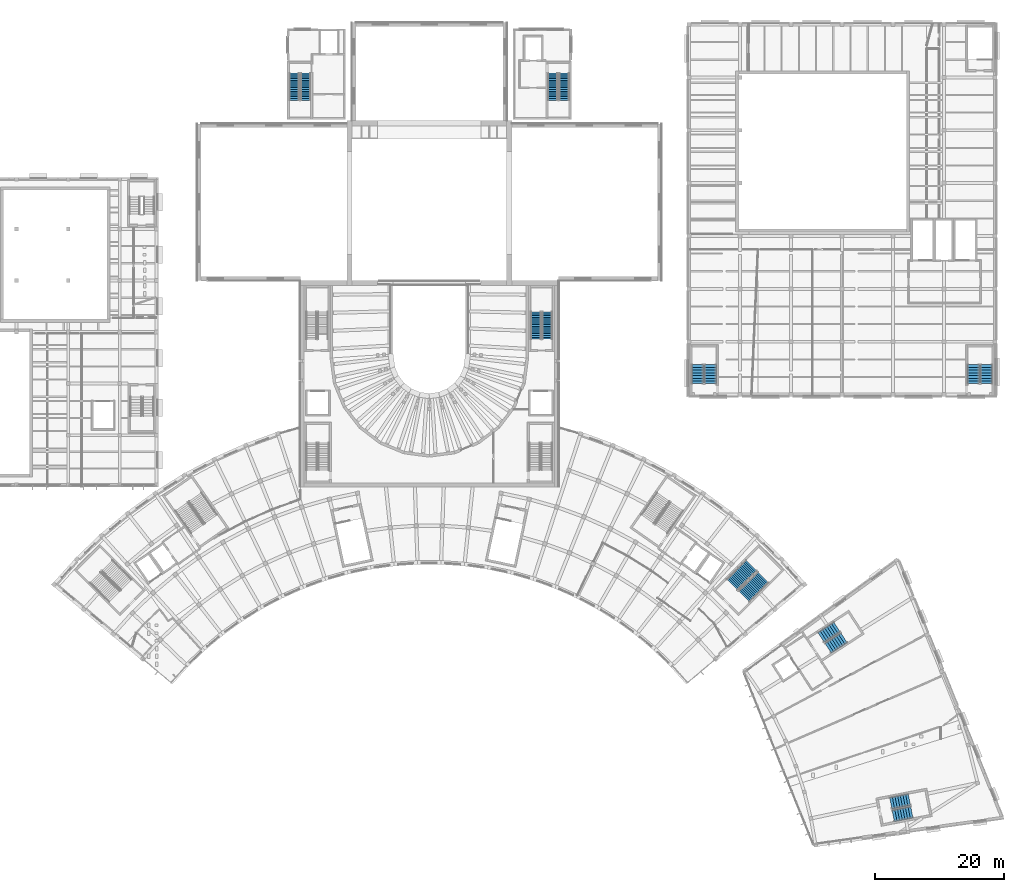
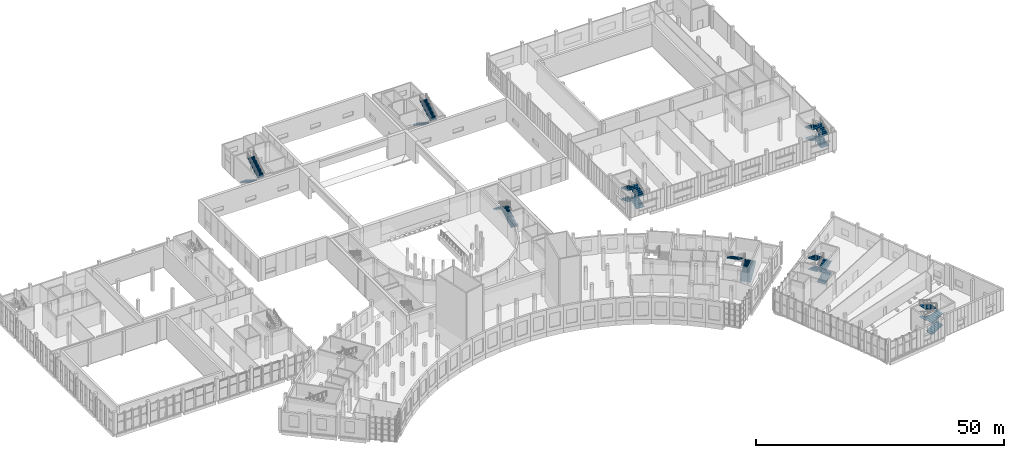
# One storey, part 48 of 87: 24 stair flights, 8 elements without a shape of their own.
"""IFC4 building model written with IfcOpenShell, lengths in metres."""

from ifc_helpers import new_model, si_unit, direction, frame, origin, place, context, subcontext, project, spatial, polyline, outline, extrude, material, type_object, element, aggregate, save


model = new_model("IFC4")

# Units and contexts
model_context = context("Model", 3, precision=1e-05, world=origin(), true_north=direction((0.0, 1.0)))
body_context = subcontext(model_context, "Body", "Model", "MODEL_VIEW")
ifc_project = project(units=[si_unit("LENGTHUNIT", "METRE"), si_unit("AREAUNIT", "SQUARE_METRE"), si_unit("VOLUMEUNIT", "CUBIC_METRE"), si_unit("PLANEANGLEUNIT", "RADIAN"), si_unit("MASSUNIT", "GRAM", prefix="KILO")], contexts=[model_context])

# Site, building, storey
site_placement = place(None, origin())
site = spatial("IfcSite", under=ifc_project, at=site_placement, CompositionType="ELEMENT")
building_placement = place(site_placement, origin())
building = spatial("IfcBuilding", under=site, at=building_placement, Name="Lunette Opera House", CompositionType="ELEMENT")
storey_placement = place(building_placement, frame((0.0, 0.0, 11.5)))
storey = spatial("IfcBuildingStorey", under=building, at=storey_placement, Name="L02", CompositionType="ELEMENT", Elevation=11.5)

# Stair, stair flights
ifc_material_1 = material(Name="Concrete C35/45", Category="concrete")
stair_type_1 = type_object("IfcStairType", Name="DOGLEG STAIR 1550", PredefinedType="HALF_TURN_STAIR", material=ifc_material_1)
stair_1_placement = place(storey_placement, origin())
stair_1 = element("IfcStair", 1, at=stair_1_placement, inside=storey, type_object=stair_type_1, Name="L02 stair ST11", PredefinedType="HALF_TURN_STAIR")
ifc_material_2 = material(Name="Concrete C35/45", Category="concrete")
stair_flight_type_1 = type_object("IfcStairFlightType", Name="STRAIGHT STAIR FLIGHT 1550", PredefinedType="STRAIGHT", material=ifc_material_2)
stair_flight_1_placement = place(storey_placement, frame((75.074951171875, 128.14990234375, 0.0), z_axis=(0.0, 0.0, 1.0), x_axis=(0.0, -1.0, 0.0)))
stair_flight_1 = element("IfcStairFlight", 2, at=stair_flight_1_placement, type_object=stair_flight_type_1, Name="ST11 flight 1", NumberOfRisers=16, NumberOfTreads=15, PredefinedType="STRAIGHT", RiserHeight=0.171875, TreadLength=0.28, context=body_context, shape_type="SweptSolid", body=[
    extrude(outline(polyline([(0.0, 0.0), (0.0, 0.171875), (0.280029296875, 0.171875), (0.280029296875, 0.34375), (0.56005859375, 0.34375), (0.56005859375, 0.515625), (0.840087890625, 0.515625), (0.840087890625, 0.6875), (1.1201171875, 0.6875), (1.1201171875, 0.859375), (1.39990234375, 0.859375), (1.39990234375, 1.03125), (1.679931640625, 1.03125), (1.679931640625, 1.203125), (1.9599609375, 1.203125), (1.9599609375, 1.375), (2.239990234375, 1.375), (2.239990234375, 1.546875), (2.52001953125, 1.546875), (2.52001953125, 1.71875), (2.800048828125, 1.71875), (2.800048828125, 1.890625), (3.080078125, 1.890625), (3.080078125, 2.0625), (3.360107421875, 2.0625), (3.360107421875, 2.234375), (3.639892578125, 2.234375), (3.639892578125, 2.40625), (3.919921875, 2.40625), (3.919921875, 2.578125), (4.199951171875, 2.578125), (4.199951171875, 2.75), (4.199951171875, 2.40234375), (0.28662109375, 0.0), (0.0, 0.0)])), frame((0.0, 0.77490234375, 0.0), z_axis=(0.0, -1.0, 0.0), x_axis=(1.0, 0.0, 0.0)), (0.0, 0.0, 1.0), 1.550048828125),
])
stair_flight_2_placement = place(storey_placement, frame((76.824951171875, 123.949951171875, 2.75), z_axis=(0.0, 0.0, 1.0), x_axis=(0.0, 1.0, 0.0)))
stair_flight_2 = element("IfcStairFlight", 3, at=stair_flight_2_placement, type_object=stair_flight_type_1, Name="ST11 flight 2", NumberOfRisers=16, NumberOfTreads=15, PredefinedType="STRAIGHT", RiserHeight=0.171875, TreadLength=0.28, context=body_context, shape_type="SweptSolid", body=[
    extrude(outline(polyline([(0.0, 0.0), (0.0, 0.171875), (0.280029296875, 0.171875), (0.280029296875, 0.34375), (0.56005859375, 0.34375), (0.56005859375, 0.515625), (0.840087890625, 0.515625), (0.840087890625, 0.6875), (1.1201171875, 0.6875), (1.1201171875, 0.859375), (1.39990234375, 0.859375), (1.39990234375, 1.03125), (1.679931640625, 1.03125), (1.679931640625, 1.203125), (1.9599609375, 1.203125), (1.9599609375, 1.375), (2.239990234375, 1.375), (2.239990234375, 1.546875), (2.52001953125, 1.546875), (2.52001953125, 1.71875), (2.800048828125, 1.71875), (2.800048828125, 1.890625), (3.080078125, 1.890625), (3.080078125, 2.0625), (3.360107421875, 2.0625), (3.360107421875, 2.234375), (3.639892578125, 2.234375), (3.639892578125, 2.40625), (3.919921875, 2.40625), (3.919921875, 2.578125), (4.199951171875, 2.578125), (4.199951171875, 2.75), (4.199951171875, 2.40234375), (0.28662109375, 0.0), (0.0, 0.0)])), frame((0.0, 0.77490234375, 0.0), z_axis=(0.0, -1.0, 0.0), x_axis=(1.0, 0.0, 0.0)), (0.0, 0.0, 1.0), 1.550048828125),
])
aggregate(stair_1, [stair_flight_1, stair_flight_2])

stair_2_placement = place(storey_placement, origin())
stair_2 = element("IfcStair", 4, at=stair_2_placement, inside=storey, type_object=stair_type_1, Name="L02 stair ST12", PredefinedType="HALF_TURN_STAIR")
stair_flight_3_placement = place(storey_placement, frame((115.175048828125, 128.14990234375, 0.0), z_axis=(0.0, 0.0, 1.0), x_axis=(0.0, -1.0, 0.0)))
stair_flight_3 = element("IfcStairFlight", 5, at=stair_flight_3_placement, type_object=stair_flight_type_1, Name="ST12 flight 1", NumberOfRisers=16, NumberOfTreads=15, PredefinedType="STRAIGHT", RiserHeight=0.171875, TreadLength=0.28, context=body_context, shape_type="SweptSolid", body=[
    extrude(outline(polyline([(0.0, 0.0), (0.0, 0.171875), (0.280029296875, 0.171875), (0.280029296875, 0.34375), (0.56005859375, 0.34375), (0.56005859375, 0.515625), (0.840087890625, 0.515625), (0.840087890625, 0.6875), (1.1201171875, 0.6875), (1.1201171875, 0.859375), (1.39990234375, 0.859375), (1.39990234375, 1.03125), (1.679931640625, 1.03125), (1.679931640625, 1.203125), (1.9599609375, 1.203125), (1.9599609375, 1.375), (2.239990234375, 1.375), (2.239990234375, 1.546875), (2.52001953125, 1.546875), (2.52001953125, 1.71875), (2.800048828125, 1.71875), (2.800048828125, 1.890625), (3.080078125, 1.890625), (3.080078125, 2.0625), (3.360107421875, 2.0625), (3.360107421875, 2.234375), (3.639892578125, 2.234375), (3.639892578125, 2.40625), (3.919921875, 2.40625), (3.919921875, 2.578125), (4.199951171875, 2.578125), (4.199951171875, 2.75), (4.199951171875, 2.40234375), (0.28662109375, 0.0), (0.0, 0.0)])), frame((0.0, 0.77490234375, 0.0), z_axis=(0.0, -1.0, 0.0), x_axis=(1.0, 0.0, 0.0)), (0.0, 0.0, 1.0), 1.550048828125),
])
stair_flight_4_placement = place(storey_placement, frame((116.925048828125, 123.949951171875, 2.75), z_axis=(0.0, 0.0, 1.0), x_axis=(0.0, 1.0, 0.0)))
stair_flight_4 = element("IfcStairFlight", 6, at=stair_flight_4_placement, type_object=stair_flight_type_1, Name="ST12 flight 2", NumberOfRisers=16, NumberOfTreads=15, PredefinedType="STRAIGHT", RiserHeight=0.171875, TreadLength=0.28, context=body_context, shape_type="SweptSolid", body=[
    extrude(outline(polyline([(0.0, 0.0), (0.0, 0.171875), (0.280029296875, 0.171875), (0.280029296875, 0.34375), (0.56005859375, 0.34375), (0.56005859375, 0.515625), (0.840087890625, 0.515625), (0.840087890625, 0.6875), (1.1201171875, 0.6875), (1.1201171875, 0.859375), (1.39990234375, 0.859375), (1.39990234375, 1.03125), (1.679931640625, 1.03125), (1.679931640625, 1.203125), (1.9599609375, 1.203125), (1.9599609375, 1.375), (2.239990234375, 1.375), (2.239990234375, 1.546875), (2.52001953125, 1.546875), (2.52001953125, 1.71875), (2.800048828125, 1.71875), (2.800048828125, 1.890625), (3.080078125, 1.890625), (3.080078125, 2.0625), (3.360107421875, 2.0625), (3.360107421875, 2.234375), (3.639892578125, 2.234375), (3.639892578125, 2.40625), (3.919921875, 2.40625), (3.919921875, 2.578125), (4.199951171875, 2.578125), (4.199951171875, 2.75), (4.199951171875, 2.40234375), (0.28662109375, 0.0), (0.0, 0.0)])), frame((0.0, 0.77490234375, 0.0), z_axis=(0.0, -1.0, 0.0), x_axis=(1.0, 0.0, 0.0)), (0.0, 0.0, 1.0), 1.550048828125),
])
aggregate(stair_2, [stair_flight_3, stair_flight_4])

ifc_material_3 = material(Name="Concrete C35/45", Category="concrete")
stair_type_2 = type_object("IfcStairType", Name="DOGLEG STAIR 1620", PredefinedType="HALF_TURN_STAIR", material=ifc_material_3)
stair_3_placement = place(storey_placement, origin())
stair_3 = element("IfcStair", 7, at=stair_3_placement, inside=storey, type_object=stair_type_2, Name="L02 stair ST9", PredefinedType="HALF_TURN_STAIR")
ifc_material_4 = material(Name="Concrete C35/45", Category="concrete")
stair_flight_type_2 = type_object("IfcStairFlightType", Name="STRAIGHT STAIR FLIGHT 1620", PredefinedType="STRAIGHT", material=ifc_material_4)
stair_flight_5_placement = place(storey_placement, frame((114.2900390625, 86.919921875, 0.0), z_axis=(0.0, 0.0, 1.0), x_axis=(0.0, 1.0, 0.0)))
stair_flight_5 = element("IfcStairFlight", 8, at=stair_flight_5_placement, type_object=stair_flight_type_2, Name="ST9 flight 1", NumberOfRisers=16, NumberOfTreads=15, PredefinedType="STRAIGHT", RiserHeight=0.171875, TreadLength=0.28, context=body_context, shape_type="SweptSolid", body=[
    extrude(outline(polyline([(0.0, 0.0), (0.0, 0.171875), (0.280029296875, 0.171875), (0.280029296875, 0.34375), (0.56005859375, 0.34375), (0.56005859375, 0.515625), (0.840087890625, 0.515625), (0.840087890625, 0.6875), (1.1201171875, 0.6875), (1.1201171875, 0.859375), (1.39990234375, 0.859375), (1.39990234375, 1.03125), (1.679931640625, 1.03125), (1.679931640625, 1.203125), (1.9599609375, 1.203125), (1.9599609375, 1.375), (2.239990234375, 1.375), (2.239990234375, 1.546875), (2.52001953125, 1.546875), (2.52001953125, 1.71875), (2.800048828125, 1.71875), (2.800048828125, 1.890625), (3.080078125, 1.890625), (3.080078125, 2.0625), (3.360107421875, 2.0625), (3.360107421875, 2.234375), (3.639892578125, 2.234375), (3.639892578125, 2.40625), (3.919921875, 2.40625), (3.919921875, 2.578125), (4.199951171875, 2.578125), (4.199951171875, 2.75), (4.199951171875, 2.40234375), (0.28662109375, 0.0), (0.0, 0.0)])), frame((0.0, 0.81005859375, 0.0), z_axis=(0.0, -1.0, 0.0), x_axis=(1.0, 0.0, 0.0)), (0.0, 0.0, 1.0), 1.6201171875),
])
stair_flight_6_placement = place(storey_placement, frame((112.510009765625, 91.1201171875, 2.75), z_axis=(0.0, 0.0, 1.0), x_axis=(0.0, -1.0, 0.0)))
stair_flight_6 = element("IfcStairFlight", 9, at=stair_flight_6_placement, type_object=stair_flight_type_2, Name="ST9 flight 2", NumberOfRisers=16, NumberOfTreads=15, PredefinedType="STRAIGHT", RiserHeight=0.171875, TreadLength=0.28, context=body_context, shape_type="SweptSolid", body=[
    extrude(outline(polyline([(0.0, 0.0), (0.0, 0.171875), (0.280029296875, 0.171875), (0.280029296875, 0.34375), (0.56005859375, 0.34375), (0.56005859375, 0.515625), (0.840087890625, 0.515625), (0.840087890625, 0.6875), (1.1201171875, 0.6875), (1.1201171875, 0.859375), (1.39990234375, 0.859375), (1.39990234375, 1.03125), (1.679931640625, 1.03125), (1.679931640625, 1.203125), (1.9599609375, 1.203125), (1.9599609375, 1.375), (2.239990234375, 1.375), (2.239990234375, 1.546875), (2.52001953125, 1.546875), (2.52001953125, 1.71875), (2.800048828125, 1.71875), (2.800048828125, 1.890625), (3.080078125, 1.890625), (3.080078125, 2.0625), (3.360107421875, 2.0625), (3.360107421875, 2.234375), (3.639892578125, 2.234375), (3.639892578125, 2.40625), (3.919921875, 2.40625), (3.919921875, 2.578125), (4.199951171875, 2.578125), (4.199951171875, 2.75), (4.199951171875, 2.40234375), (0.28662109375, 0.0), (0.0, 0.0)])), frame((0.0, 0.81005859375, 0.0), z_axis=(0.0, -1.0, 0.0), x_axis=(1.0, 0.0, 0.0)), (0.0, 0.0, 1.0), 1.6201171875),
])
aggregate(stair_3, [stair_flight_5, stair_flight_6])

ifc_material_5 = material(Name="Concrete C35/45", Category="concrete")
stair_type_3 = type_object("IfcStairType", Name="DOGLEG STAIR 1800", PredefinedType="HALF_TURN_STAIR", material=ifc_material_5)
stair_4_placement = place(storey_placement, origin())
stair_4 = element("IfcStair", 10, at=stair_4_placement, inside=storey, type_object=stair_type_3, Name="L02 stair ST18", PredefinedType="HALF_TURN_STAIR")
ifc_material_6 = material(Name="Concrete C35/45", Category="concrete")
stair_flight_type_3 = type_object("IfcStairFlightType", Name="STRAIGHT STAIR FLIGHT 1800", PredefinedType="STRAIGHT", material=ifc_material_6)
stair_flight_7_placement = place(storey_placement, frame((139.60009765625, 80.0, 0.0), z_axis=(0.0, 0.0, 1.0), x_axis=(0.0, 1.0, 0.0)))
stair_flight_7 = element("IfcStairFlight", 11, at=stair_flight_7_placement, type_object=stair_flight_type_3, Name="ST18 flight 1", NumberOfRisers=8, NumberOfTreads=7, PredefinedType="STRAIGHT", RiserHeight=0.171875, TreadLength=0.42, context=body_context, shape_type="SweptSolid", body=[
    extrude(outline(polyline([(0.0, 0.0), (0.0, 0.171875), (0.419921875, 0.171875), (0.419921875, 0.34375), (0.840087890625, 0.34375), (0.840087890625, 0.515625), (1.260009765625, 0.515625), (1.260009765625, 0.6875), (1.679931640625, 0.6875), (1.679931640625, 0.859375), (2.10009765625, 0.859375), (2.10009765625, 1.03125), (2.52001953125, 1.03125), (2.52001953125, 1.203125), (2.93994140625, 1.203125), (2.93994140625, 1.375), (2.93994140625, 1.041259765625), (0.395751953125, 0.0), (0.0, 0.0)])), frame((0.0, 0.89990234375, 0.0), z_axis=(0.0, -1.0, 0.0), x_axis=(1.0, 0.0, 0.0)), (0.0, 0.0, 1.0), 1.800048828125),
])
stair_flight_8_placement = place(storey_placement, frame((137.60009765625, 82.93994140625, 1.375), z_axis=(0.0, 0.0, 1.0), x_axis=(0.0, -1.0, 0.0)))
stair_flight_8 = element("IfcStairFlight", 12, at=stair_flight_8_placement, type_object=stair_flight_type_3, Name="ST18 flight 2", NumberOfRisers=8, NumberOfTreads=7, PredefinedType="STRAIGHT", RiserHeight=0.171875, TreadLength=0.42, context=body_context, shape_type="SweptSolid", body=[
    extrude(outline(polyline([(0.0, 0.0), (0.0, 0.171875), (0.419921875, 0.171875), (0.419921875, 0.34375), (0.840087890625, 0.34375), (0.840087890625, 0.515625), (1.260009765625, 0.515625), (1.260009765625, 0.6875), (1.679931640625, 0.6875), (1.679931640625, 0.859375), (2.10009765625, 0.859375), (2.10009765625, 1.03125), (2.52001953125, 1.03125), (2.52001953125, 1.203125), (2.93994140625, 1.203125), (2.93994140625, 1.375), (2.93994140625, 1.041259765625), (0.395751953125, 0.0), (0.0, 0.0)])), frame((0.0, 0.89990234375, 0.0), z_axis=(0.0, -1.0, 0.0), x_axis=(1.0, 0.0, 0.0)), (0.0, 0.0, 1.0), 1.800048828125),
])
stair_flight_9_placement = place(storey_placement, frame((139.60009765625, 80.0, 2.75), z_axis=(0.0, 0.0, 1.0), x_axis=(0.0, 1.0, 0.0)))
stair_flight_9 = element("IfcStairFlight", 13, at=stair_flight_9_placement, type_object=stair_flight_type_3, Name="ST18 flight 3", NumberOfRisers=8, NumberOfTreads=7, PredefinedType="STRAIGHT", RiserHeight=0.171875, TreadLength=0.42, context=body_context, shape_type="SweptSolid", body=[
    extrude(outline(polyline([(0.0, 0.0), (0.0, 0.171875), (0.419921875, 0.171875), (0.419921875, 0.34375), (0.840087890625, 0.34375), (0.840087890625, 0.515625), (1.260009765625, 0.515625), (1.260009765625, 0.6875), (1.679931640625, 0.6875), (1.679931640625, 0.859375), (2.10009765625, 0.859375), (2.10009765625, 1.03125), (2.52001953125, 1.03125), (2.52001953125, 1.203125), (2.93994140625, 1.203125), (2.93994140625, 1.375), (2.93994140625, 1.041259765625), (0.395751953125, 0.0), (0.0, 0.0)])), frame((0.0, 0.89990234375, 0.0), z_axis=(0.0, -1.0, 0.0), x_axis=(1.0, 0.0, 0.0)), (0.0, 0.0, 1.0), 1.800048828125),
])
stair_flight_10_placement = place(storey_placement, frame((137.60009765625, 82.93994140625, 4.125), z_axis=(0.0, 0.0, 1.0), x_axis=(0.0, -1.0, 0.0)))
stair_flight_10 = element("IfcStairFlight", 14, at=stair_flight_10_placement, type_object=stair_flight_type_3, Name="ST18 flight 4", NumberOfRisers=8, NumberOfTreads=7, PredefinedType="STRAIGHT", RiserHeight=0.171875, TreadLength=0.42, context=body_context, shape_type="SweptSolid", body=[
    extrude(outline(polyline([(0.0, 0.0), (0.0, 0.171875), (0.419921875, 0.171875), (0.419921875, 0.34375), (0.840087890625, 0.34375), (0.840087890625, 0.515625), (1.260009765625, 0.515625), (1.260009765625, 0.6875), (1.679931640625, 0.6875), (1.679931640625, 0.859375), (2.10009765625, 0.859375), (2.10009765625, 1.03125), (2.52001953125, 1.03125), (2.52001953125, 1.203125), (2.93994140625, 1.203125), (2.93994140625, 1.375), (2.93994140625, 1.041259765625), (0.395751953125, 0.0), (0.0, 0.0)])), frame((0.0, 0.89990234375, 0.0), z_axis=(0.0, -1.0, 0.0), x_axis=(1.0, 0.0, 0.0)), (0.0, 0.0, 1.0), 1.800048828125),
])
aggregate(stair_4, [stair_flight_7, stair_flight_8, stair_flight_9, stair_flight_10])

stair_5_placement = place(storey_placement, origin())
stair_5 = element("IfcStair", 15, at=stair_5_placement, inside=storey, type_object=stair_type_3, Name="L02 stair ST20", PredefinedType="HALF_TURN_STAIR")
stair_flight_11_placement = place(storey_placement, frame((182.39990234375, 80.0, 0.0), z_axis=(0.0, 0.0, 1.0), x_axis=(0.0, 1.0, 0.0)))
stair_flight_11 = element("IfcStairFlight", 16, at=stair_flight_11_placement, type_object=stair_flight_type_3, Name="ST20 flight 1", NumberOfRisers=8, NumberOfTreads=7, PredefinedType="STRAIGHT", RiserHeight=0.171875, TreadLength=0.42, context=body_context, shape_type="SweptSolid", body=[
    extrude(outline(polyline([(0.0, 0.0), (0.0, 0.171875), (0.419921875, 0.171875), (0.419921875, 0.34375), (0.840087890625, 0.34375), (0.840087890625, 0.515625), (1.260009765625, 0.515625), (1.260009765625, 0.6875), (1.679931640625, 0.6875), (1.679931640625, 0.859375), (2.10009765625, 0.859375), (2.10009765625, 1.03125), (2.52001953125, 1.03125), (2.52001953125, 1.203125), (2.93994140625, 1.203125), (2.93994140625, 1.375), (2.93994140625, 1.041259765625), (0.395751953125, 0.0), (0.0, 0.0)])), frame((0.0, 0.89990234375, 0.0), z_axis=(0.0, -1.0, 0.0), x_axis=(1.0, 0.0, 0.0)), (0.0, 0.0, 1.0), 1.800048828125),
])
stair_flight_12_placement = place(storey_placement, frame((180.39990234375, 82.93994140625, 1.375), z_axis=(0.0, 0.0, 1.0), x_axis=(0.0, -1.0, 0.0)))
stair_flight_12 = element("IfcStairFlight", 17, at=stair_flight_12_placement, type_object=stair_flight_type_3, Name="ST20 flight 2", NumberOfRisers=8, NumberOfTreads=7, PredefinedType="STRAIGHT", RiserHeight=0.171875, TreadLength=0.42, context=body_context, shape_type="SweptSolid", body=[
    extrude(outline(polyline([(0.0, 0.0), (0.0, 0.171875), (0.419921875, 0.171875), (0.419921875, 0.34375), (0.840087890625, 0.34375), (0.840087890625, 0.515625), (1.260009765625, 0.515625), (1.260009765625, 0.6875), (1.679931640625, 0.6875), (1.679931640625, 0.859375), (2.10009765625, 0.859375), (2.10009765625, 1.03125), (2.52001953125, 1.03125), (2.52001953125, 1.203125), (2.93994140625, 1.203125), (2.93994140625, 1.375), (2.93994140625, 1.041259765625), (0.395751953125, 0.0), (0.0, 0.0)])), frame((0.0, 0.89990234375, 0.0), z_axis=(0.0, -1.0, 0.0), x_axis=(1.0, 0.0, 0.0)), (0.0, 0.0, 1.0), 1.800048828125),
])
stair_flight_13_placement = place(storey_placement, frame((182.39990234375, 80.0, 2.75), z_axis=(0.0, 0.0, 1.0), x_axis=(0.0, 1.0, 0.0)))
stair_flight_13 = element("IfcStairFlight", 18, at=stair_flight_13_placement, type_object=stair_flight_type_3, Name="ST20 flight 3", NumberOfRisers=8, NumberOfTreads=7, PredefinedType="STRAIGHT", RiserHeight=0.171875, TreadLength=0.42, context=body_context, shape_type="SweptSolid", body=[
    extrude(outline(polyline([(0.0, 0.0), (0.0, 0.171875), (0.419921875, 0.171875), (0.419921875, 0.34375), (0.840087890625, 0.34375), (0.840087890625, 0.515625), (1.260009765625, 0.515625), (1.260009765625, 0.6875), (1.679931640625, 0.6875), (1.679931640625, 0.859375), (2.10009765625, 0.859375), (2.10009765625, 1.03125), (2.52001953125, 1.03125), (2.52001953125, 1.203125), (2.93994140625, 1.203125), (2.93994140625, 1.375), (2.93994140625, 1.041259765625), (0.395751953125, 0.0), (0.0, 0.0)])), frame((0.0, 0.89990234375, 0.0), z_axis=(0.0, -1.0, 0.0), x_axis=(1.0, 0.0, 0.0)), (0.0, 0.0, 1.0), 1.800048828125),
])
stair_flight_14_placement = place(storey_placement, frame((180.39990234375, 82.93994140625, 4.125), z_axis=(0.0, 0.0, 1.0), x_axis=(0.0, -1.0, 0.0)))
stair_flight_14 = element("IfcStairFlight", 19, at=stair_flight_14_placement, type_object=stair_flight_type_3, Name="ST20 flight 4", NumberOfRisers=8, NumberOfTreads=7, PredefinedType="STRAIGHT", RiserHeight=0.171875, TreadLength=0.42, context=body_context, shape_type="SweptSolid", body=[
    extrude(outline(polyline([(0.0, 0.0), (0.0, 0.171875), (0.419921875, 0.171875), (0.419921875, 0.34375), (0.840087890625, 0.34375), (0.840087890625, 0.515625), (1.260009765625, 0.515625), (1.260009765625, 0.6875), (1.679931640625, 0.6875), (1.679931640625, 0.859375), (2.10009765625, 0.859375), (2.10009765625, 1.03125), (2.52001953125, 1.03125), (2.52001953125, 1.203125), (2.93994140625, 1.203125), (2.93994140625, 1.375), (2.93994140625, 1.041259765625), (0.395751953125, 0.0), (0.0, 0.0)])), frame((0.0, 0.89990234375, 0.0), z_axis=(0.0, -1.0, 0.0), x_axis=(1.0, 0.0, 0.0)), (0.0, 0.0, 1.0), 1.800048828125),
])
aggregate(stair_5, [stair_flight_11, stair_flight_12, stair_flight_13, stair_flight_14])

stair_6_placement = place(storey_placement, origin())
stair_6 = element("IfcStair", 20, at=stair_6_placement, inside=storey, type_object=stair_type_3, Name="L02 stair ST21", PredefinedType="HALF_TURN_STAIR")
stair_flight_15_placement = place(storey_placement, frame((157.851318359375, 38.973876953125, 0.0), z_axis=(0.0, 0.0, 1.0), x_axis=(0.838643447017, 0.544680795306, 0.0)))
stair_flight_15 = element("IfcStairFlight", 21, at=stair_flight_15_placement, type_object=stair_flight_type_3, Name="ST21 flight 1", NumberOfRisers=8, NumberOfTreads=7, PredefinedType="STRAIGHT", RiserHeight=0.171875, TreadLength=0.42, context=body_context, shape_type="SweptSolid", body=[
    extrude(outline(polyline([(0.0, 0.0), (0.0, 0.171875), (0.419921875, 0.171875), (0.419921875, 0.34375), (0.840087890625, 0.34375), (0.840087890625, 0.515625), (1.260009765625, 0.515625), (1.260009765625, 0.6875), (1.679931640625, 0.6875), (1.679931640625, 0.859375), (2.10009765625, 0.859375), (2.10009765625, 1.03125), (2.52001953125, 1.03125), (2.52001953125, 1.203125), (2.93994140625, 1.203125), (2.93994140625, 1.375), (2.93994140625, 1.041259765625), (0.395751953125, 0.0), (0.0, 0.0)])), frame((0.0, 0.89990234375, 0.0), z_axis=(0.0, -1.0, 0.0), x_axis=(1.0, 0.0, 0.0)), (0.0, 0.0, 1.0), 1.800048828125),
])
stair_flight_16_placement = place(storey_placement, frame((159.227294921875, 42.2529296875, 1.375), z_axis=(0.0, 0.0, 1.0), x_axis=(-0.838643447017, -0.544680795306, 0.0)))
stair_flight_16 = element("IfcStairFlight", 22, at=stair_flight_16_placement, type_object=stair_flight_type_3, Name="ST21 flight 2", NumberOfRisers=8, NumberOfTreads=7, PredefinedType="STRAIGHT", RiserHeight=0.171875, TreadLength=0.42, context=body_context, shape_type="SweptSolid", body=[
    extrude(outline(polyline([(0.0, 0.0), (0.0, 0.171875), (0.419921875, 0.171875), (0.419921875, 0.34375), (0.840087890625, 0.34375), (0.840087890625, 0.515625), (1.260009765625, 0.515625), (1.260009765625, 0.6875), (1.679931640625, 0.6875), (1.679931640625, 0.859375), (2.10009765625, 0.859375), (2.10009765625, 1.03125), (2.52001953125, 1.03125), (2.52001953125, 1.203125), (2.93994140625, 1.203125), (2.93994140625, 1.375), (2.93994140625, 1.041259765625), (0.395751953125, 0.0), (0.0, 0.0)])), frame((0.0, 0.89990234375, 0.0), z_axis=(0.0, -1.0, 0.0), x_axis=(1.0, 0.0, 0.0)), (0.0, 0.0, 1.0), 1.800048828125),
])
stair_flight_17_placement = place(storey_placement, frame((157.851318359375, 38.973876953125, 2.75), z_axis=(0.0, 0.0, 1.0), x_axis=(0.838643447017, 0.544680795306, 0.0)))
stair_flight_17 = element("IfcStairFlight", 23, at=stair_flight_17_placement, type_object=stair_flight_type_3, Name="ST21 flight 3", NumberOfRisers=8, NumberOfTreads=7, PredefinedType="STRAIGHT", RiserHeight=0.171875, TreadLength=0.42, context=body_context, shape_type="SweptSolid", body=[
    extrude(outline(polyline([(0.0, 0.0), (0.0, 0.171875), (0.419921875, 0.171875), (0.419921875, 0.34375), (0.840087890625, 0.34375), (0.840087890625, 0.515625), (1.260009765625, 0.515625), (1.260009765625, 0.6875), (1.679931640625, 0.6875), (1.679931640625, 0.859375), (2.10009765625, 0.859375), (2.10009765625, 1.03125), (2.52001953125, 1.03125), (2.52001953125, 1.203125), (2.93994140625, 1.203125), (2.93994140625, 1.375), (2.93994140625, 1.041259765625), (0.395751953125, 0.0), (0.0, 0.0)])), frame((0.0, 0.89990234375, 0.0), z_axis=(0.0, -1.0, 0.0), x_axis=(1.0, 0.0, 0.0)), (0.0, 0.0, 1.0), 1.800048828125),
])
stair_flight_18_placement = place(storey_placement, frame((159.227294921875, 42.2529296875, 4.125), z_axis=(0.0, 0.0, 1.0), x_axis=(-0.838643447017, -0.544680795306, 0.0)))
stair_flight_18 = element("IfcStairFlight", 24, at=stair_flight_18_placement, type_object=stair_flight_type_3, Name="ST21 flight 4", NumberOfRisers=8, NumberOfTreads=7, PredefinedType="STRAIGHT", RiserHeight=0.171875, TreadLength=0.42, context=body_context, shape_type="SweptSolid", body=[
    extrude(outline(polyline([(0.0, 0.0), (0.0, 0.171875), (0.419921875, 0.171875), (0.419921875, 0.34375), (0.840087890625, 0.34375), (0.840087890625, 0.515625), (1.260009765625, 0.515625), (1.260009765625, 0.6875), (1.679931640625, 0.6875), (1.679931640625, 0.859375), (2.10009765625, 0.859375), (2.10009765625, 1.03125), (2.52001953125, 1.03125), (2.52001953125, 1.203125), (2.93994140625, 1.203125), (2.93994140625, 1.375), (2.93994140625, 1.041259765625), (0.395751953125, 0.0), (0.0, 0.0)])), frame((0.0, 0.89990234375, 0.0), z_axis=(0.0, -1.0, 0.0), x_axis=(1.0, 0.0, 0.0)), (0.0, 0.0, 1.0), 1.800048828125),
])
aggregate(stair_6, [stair_flight_15, stair_flight_16, stair_flight_17, stair_flight_18])

stair_7_placement = place(storey_placement, origin())
stair_7 = element("IfcStair", 25, at=stair_7_placement, inside=storey, type_object=stair_type_3, Name="L02 stair ST22", PredefinedType="HALF_TURN_STAIR")
stair_flight_19_placement = place(storey_placement, frame((167.947509765625, 12.966552734375, 0.0), z_axis=(0.0, 0.0, 1.0), x_axis=(0.981638151653, 0.19075256019, 0.0)))
stair_flight_19 = element("IfcStairFlight", 26, at=stair_flight_19_placement, type_object=stair_flight_type_3, Name="ST22 flight 1", NumberOfRisers=8, NumberOfTreads=7, PredefinedType="STRAIGHT", RiserHeight=0.171875, TreadLength=0.42, context=body_context, shape_type="SweptSolid", body=[
    extrude(outline(polyline([(0.0, 0.0), (0.0, 0.171875), (0.419921875, 0.171875), (0.419921875, 0.34375), (0.840087890625, 0.34375), (0.840087890625, 0.515625), (1.260009765625, 0.515625), (1.260009765625, 0.6875), (1.679931640625, 0.6875), (1.679931640625, 0.859375), (2.10009765625, 0.859375), (2.10009765625, 1.03125), (2.52001953125, 1.03125), (2.52001953125, 1.203125), (2.93994140625, 1.203125), (2.93994140625, 1.375), (2.93994140625, 1.041259765625), (0.395751953125, 0.0), (0.0, 0.0)])), frame((0.0, 0.89990234375, 0.0), z_axis=(0.0, -1.0, 0.0), x_axis=(1.0, 0.0, 0.0)), (0.0, 0.0, 1.0), 1.800048828125),
])
stair_flight_20_placement = place(storey_placement, frame((170.4521484375, 15.490478515625, 1.375), z_axis=(0.0, 0.0, 1.0), x_axis=(-0.981638151653, -0.19075256019, 0.0)))
stair_flight_20 = element("IfcStairFlight", 27, at=stair_flight_20_placement, type_object=stair_flight_type_3, Name="ST22 flight 2", NumberOfRisers=8, NumberOfTreads=7, PredefinedType="STRAIGHT", RiserHeight=0.171875, TreadLength=0.42, context=body_context, shape_type="SweptSolid", body=[
    extrude(outline(polyline([(0.0, 0.0), (0.0, 0.171875), (0.419921875, 0.171875), (0.419921875, 0.34375), (0.840087890625, 0.34375), (0.840087890625, 0.515625), (1.260009765625, 0.515625), (1.260009765625, 0.6875), (1.679931640625, 0.6875), (1.679931640625, 0.859375), (2.10009765625, 0.859375), (2.10009765625, 1.03125), (2.52001953125, 1.03125), (2.52001953125, 1.203125), (2.93994140625, 1.203125), (2.93994140625, 1.375), (2.93994140625, 1.041259765625), (0.395751953125, 0.0), (0.0, 0.0)])), frame((0.0, 0.89990234375, 0.0), z_axis=(0.0, -1.0, 0.0), x_axis=(1.0, 0.0, 0.0)), (0.0, 0.0, 1.0), 1.800048828125),
])
stair_flight_21_placement = place(storey_placement, frame((167.947509765625, 12.966552734375, 2.75), z_axis=(0.0, 0.0, 1.0), x_axis=(0.981638151653, 0.19075256019, 0.0)))
stair_flight_21 = element("IfcStairFlight", 28, at=stair_flight_21_placement, type_object=stair_flight_type_3, Name="ST22 flight 3", NumberOfRisers=8, NumberOfTreads=7, PredefinedType="STRAIGHT", RiserHeight=0.171875, TreadLength=0.42, context=body_context, shape_type="SweptSolid", body=[
    extrude(outline(polyline([(0.0, 0.0), (0.0, 0.171875), (0.419921875, 0.171875), (0.419921875, 0.34375), (0.840087890625, 0.34375), (0.840087890625, 0.515625), (1.260009765625, 0.515625), (1.260009765625, 0.6875), (1.679931640625, 0.6875), (1.679931640625, 0.859375), (2.10009765625, 0.859375), (2.10009765625, 1.03125), (2.52001953125, 1.03125), (2.52001953125, 1.203125), (2.93994140625, 1.203125), (2.93994140625, 1.375), (2.93994140625, 1.041259765625), (0.395751953125, 0.0), (0.0, 0.0)])), frame((0.0, 0.89990234375, 0.0), z_axis=(0.0, -1.0, 0.0), x_axis=(1.0, 0.0, 0.0)), (0.0, 0.0, 1.0), 1.800048828125),
])
stair_flight_22_placement = place(storey_placement, frame((170.4521484375, 15.490478515625, 4.125), z_axis=(0.0, 0.0, 1.0), x_axis=(-0.981638151653, -0.19075256019, 0.0)))
stair_flight_22 = element("IfcStairFlight", 29, at=stair_flight_22_placement, type_object=stair_flight_type_3, Name="ST22 flight 4", NumberOfRisers=8, NumberOfTreads=7, PredefinedType="STRAIGHT", RiserHeight=0.171875, TreadLength=0.42, context=body_context, shape_type="SweptSolid", body=[
    extrude(outline(polyline([(0.0, 0.0), (0.0, 0.171875), (0.419921875, 0.171875), (0.419921875, 0.34375), (0.840087890625, 0.34375), (0.840087890625, 0.515625), (1.260009765625, 0.515625), (1.260009765625, 0.6875), (1.679931640625, 0.6875), (1.679931640625, 0.859375), (2.10009765625, 0.859375), (2.10009765625, 1.03125), (2.52001953125, 1.03125), (2.52001953125, 1.203125), (2.93994140625, 1.203125), (2.93994140625, 1.375), (2.93994140625, 1.041259765625), (0.395751953125, 0.0), (0.0, 0.0)])), frame((0.0, 0.89990234375, 0.0), z_axis=(0.0, -1.0, 0.0), x_axis=(1.0, 0.0, 0.0)), (0.0, 0.0, 1.0), 1.800048828125),
])
aggregate(stair_7, [stair_flight_19, stair_flight_20, stair_flight_21, stair_flight_22])

ifc_material_7 = material(Name="Concrete C35/45", Category="concrete")
stair_type_4 = type_object("IfcStairType", Name="DOGLEG STAIR 2400", PredefinedType="HALF_TURN_STAIR", material=ifc_material_7)
stair_8_placement = place(storey_placement, origin())
stair_8 = element("IfcStair", 30, at=stair_8_placement, inside=storey, type_object=stair_type_4, Name="L02 stair ST4", PredefinedType="HALF_TURN_STAIR")
ifc_material_8 = material(Name="Concrete C35/45", Category="concrete")
stair_flight_type_4 = type_object("IfcStairFlightType", Name="STRAIGHT STAIR FLIGHT 2400", PredefinedType="STRAIGHT", material=ifc_material_8)
stair_flight_23_placement = place(storey_placement, frame((144.825439453125, 46.98681640625, 0.0), z_axis=(0.0, 0.0, 1.0), x_axis=(0.707106781187, 0.707106781187, 0.0)))
stair_flight_23 = element("IfcStairFlight", 31, at=stair_flight_23_placement, type_object=stair_flight_type_4, Name="ST4 flight 1", NumberOfRisers=16, NumberOfTreads=15, PredefinedType="STRAIGHT", RiserHeight=0.171875, TreadLength=0.28, context=body_context, shape_type="SweptSolid", body=[
    extrude(outline(polyline([(0.0, 0.0), (0.0, 0.171875), (0.280029296875, 0.171875), (0.280029296875, 0.34375), (0.56005859375, 0.34375), (0.56005859375, 0.515625), (0.840087890625, 0.515625), (0.840087890625, 0.6875), (1.1201171875, 0.6875), (1.1201171875, 0.859375), (1.39990234375, 0.859375), (1.39990234375, 1.03125), (1.679931640625, 1.03125), (1.679931640625, 1.203125), (1.9599609375, 1.203125), (1.9599609375, 1.375), (2.239990234375, 1.375), (2.239990234375, 1.546875), (2.52001953125, 1.546875), (2.52001953125, 1.71875), (2.800048828125, 1.71875), (2.800048828125, 1.890625), (3.080078125, 1.890625), (3.080078125, 2.0625), (3.360107421875, 2.0625), (3.360107421875, 2.234375), (3.639892578125, 2.234375), (3.639892578125, 2.40625), (3.919921875, 2.40625), (3.919921875, 2.578125), (4.199951171875, 2.578125), (4.199951171875, 2.75), (4.199951171875, 2.40234375), (0.28662109375, 0.0), (0.0, 0.0)])), frame((0.0, 1.199951171875, 0.0), z_axis=(0.0, -1.0, 0.0), x_axis=(1.0, 0.0, 0.0)), (0.0, 0.0, 1.0), 2.39990234375),
])
stair_flight_24_placement = place(storey_placement, frame((145.956787109375, 51.79541015625, 2.75), z_axis=(0.0, 0.0, 1.0), x_axis=(-0.707106781187, -0.707106781187, 0.0)))
stair_flight_24 = element("IfcStairFlight", 32, at=stair_flight_24_placement, type_object=stair_flight_type_4, Name="ST4 flight 2", NumberOfRisers=16, NumberOfTreads=15, PredefinedType="STRAIGHT", RiserHeight=0.171875, TreadLength=0.28, context=body_context, shape_type="SweptSolid", body=[
    extrude(outline(polyline([(0.0, 0.0), (0.0, 0.171875), (0.280029296875, 0.171875), (0.280029296875, 0.34375), (0.56005859375, 0.34375), (0.56005859375, 0.515625), (0.840087890625, 0.515625), (0.840087890625, 0.6875), (1.1201171875, 0.6875), (1.1201171875, 0.859375), (1.39990234375, 0.859375), (1.39990234375, 1.03125), (1.679931640625, 1.03125), (1.679931640625, 1.203125), (1.9599609375, 1.203125), (1.9599609375, 1.375), (2.239990234375, 1.375), (2.239990234375, 1.546875), (2.52001953125, 1.546875), (2.52001953125, 1.71875), (2.800048828125, 1.71875), (2.800048828125, 1.890625), (3.080078125, 1.890625), (3.080078125, 2.0625), (3.360107421875, 2.0625), (3.360107421875, 2.234375), (3.639892578125, 2.234375), (3.639892578125, 2.40625), (3.919921875, 2.40625), (3.919921875, 2.578125), (4.199951171875, 2.578125), (4.199951171875, 2.75), (4.199951171875, 2.40234375), (0.28662109375, 0.0), (0.0, 0.0)])), frame((0.0, 1.199951171875, 0.0), z_axis=(0.0, -1.0, 0.0), x_axis=(1.0, 0.0, 0.0)), (0.0, 0.0, 1.0), 2.39990234375),
])
aggregate(stair_8, [stair_flight_23, stair_flight_24])

save(model, "model.ifc")
